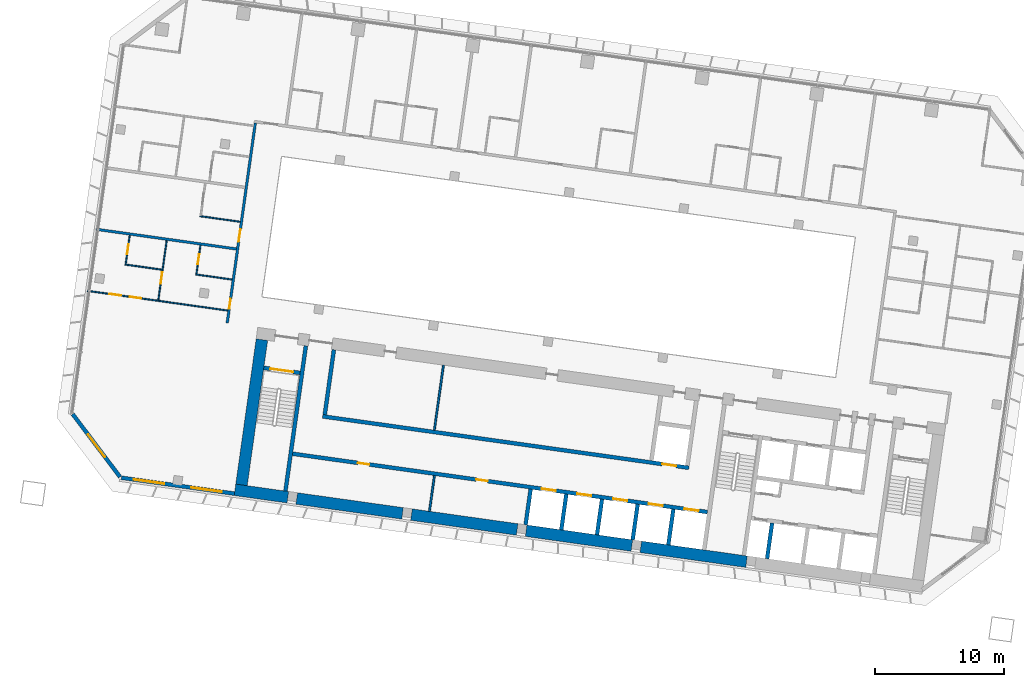
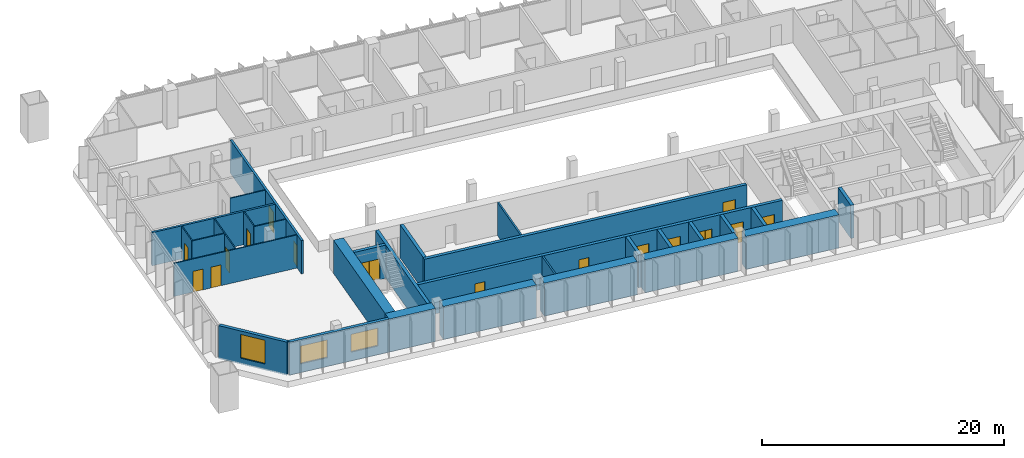
# One storey, part 14 of 25: 30 walls, 16 doors, 3 windows, 19 openings.
"""IFC4 building model written with IfcOpenShell, lengths in metres."""

import ifcopenshell
import ifcopenshell.guid

model = None  # the IFC model being written
_history = None  # IfcOwnerHistory: only IFC2X3 demands one
_inside = {}  # id of a spatial element -> (the spatial element, [elements in it])
_under = {}  # id of a project, library or spatial element -> (it, [spatial elements below it])
_declared = {}  # id of a project -> (the project, [libraries it declares])
_typed = {}  # id of a type object -> (the type object, [elements of that type])
_made_of = {}  # id of a material, layer set ... -> (it, [elements and type objects made of it])


def new_model(schema):
    """Start an empty IFC model of exactly this schema.

    Asked for "IFC4X3", IfcOpenShell would pick the latest addendum, in which some entities
    have other attributes; the version numbers below select the first issue.
    IFC2X3 requires an IfcOwnerHistory on every rooted entity: one is made here for all.
    """
    global model, _history
    if schema == "IFC4X3":
        model = ifcopenshell.file(schema_version=(4, 3, 0, 0))
    else:
        model = ifcopenshell.file(schema=schema)
    _inside.clear()
    _under.clear()
    _declared.clear()
    _typed.clear()
    _made_of.clear()
    _history = None
    if model.schema == "IFC2X3":
        org = make("IfcOrganization", Name="unknown")
        user = make(
            "IfcPersonAndOrganization",
            ThePerson=make("IfcPerson", FamilyName="unknown"),
            TheOrganization=org,
        )
        app = make(
            "IfcApplication",
            ApplicationDeveloper=org,
            Version="unknown",
            ApplicationFullName="unknown",
            ApplicationIdentifier="unknown",
        )
        _history = make(
            "IfcOwnerHistory",
            OwningUser=user,
            OwningApplication=app,
            ChangeAction="ADDED",
            CreationDate=0,
        )
    return model


def make(cls, **values):
    """One entity of the class cls with the attributes given. An attribute that is None is left unset."""
    return model.create_entity(
        cls, **{name: value for name, value in values.items() if value is not None}
    )


def rooted(cls, **values):
    """An entity with a GlobalId (a new one), such as an element, a storey or a relation."""
    return make(cls, GlobalId=ifcopenshell.guid.new(), OwnerHistory=_history, **values)


def si_unit(unit_type, name, prefix=None):
    """IfcSIUnit, for example si_unit("LENGTHUNIT", "METRE", prefix="MILLI")."""
    return make("IfcSIUnit", UnitType=unit_type, Prefix=prefix, Name=name)


def assignment(units):
    """IfcUnitAssignment: the units of a project."""
    return None if units is None else make("IfcUnitAssignment", Units=units)


def point(xyz):
    """IfcCartesianPoint."""
    return None if xyz is None else make("IfcCartesianPoint", Coordinates=xyz)


def direction(xyz):
    """IfcDirection."""
    return None if xyz is None else make("IfcDirection", DirectionRatios=xyz)


def frame(location, z_axis=None, x_axis=None):
    """IfcAxis2Placement3D, a coordinate frame: its origin and axes. An axis left out is left unset."""
    return make(
        "IfcAxis2Placement3D",
        Location=point(location),
        Axis=direction(z_axis),
        RefDirection=direction(x_axis),
    )


def frame_2d(location, x_axis=None):
    """IfcAxis2Placement2D, a coordinate frame in the plane: its origin and x axis."""
    return make(
        "IfcAxis2Placement2D", Location=point(location), RefDirection=direction(x_axis)
    )


def origin():
    """The frame at (0, 0, 0) with its axes left unset."""
    return frame((0.0, 0.0, 0.0))


def place(relative_to, where):
    """IfcLocalPlacement: puts the frame where relative to a parent placement (None: the world)."""
    return make(
        "IfcLocalPlacement", PlacementRelTo=relative_to, RelativePlacement=where
    )


def context(
    kind, dimensions, precision=None, world=None, true_north=None, identifier=None
):
    """IfcGeometricRepresentationContext, for example the 3D "Model" context."""
    return make(
        "IfcGeometricRepresentationContext",
        ContextIdentifier=identifier,
        ContextType=kind,
        CoordinateSpaceDimension=dimensions,
        Precision=precision,
        WorldCoordinateSystem=world,
        TrueNorth=true_north,
    )


def subcontext(parent, identifier, kind, view, scale=None):
    """IfcGeometricRepresentationSubContext, for example "Body" below "Model"."""
    return make(
        "IfcGeometricRepresentationSubContext",
        ContextIdentifier=identifier,
        ContextType=kind,
        ParentContext=parent,
        TargetScale=scale,
        TargetView=view,
    )


def project(units=None, contexts=None):
    """IfcProject with its units and contexts."""
    return rooted(
        "IfcProject",
        Name="project",
        RepresentationContexts=contexts,
        UnitsInContext=assignment(units),
    )


def spatial(cls, under=None, at=None, **own):
    """A site, building, storey or space (cls), placed at a placement, below another one or the project."""
    s = rooted(cls, ObjectPlacement=at, **own)
    if under is not None:
        _under.setdefault(under.id(), (under, []))[1].append(s)
    return s


def profile(cls, at=None, kind="AREA", **sizes):
    """A parametric profile (cls). Its sizes go by their IFC names, for example OverallWidth=200.0."""
    return make(cls, ProfileType=kind, Position=at, **sizes)


def rectangle(**sizes):
    """IfcRectangleProfileDef."""
    return profile("IfcRectangleProfileDef", **sizes)


def extrude(swept, where, along, depth):
    """IfcExtrudedAreaSolid: the profile swept, set in the frame where, extruded along a direction by depth."""
    return make(
        "IfcExtrudedAreaSolid",
        SweptArea=swept,
        Position=where,
        ExtrudedDirection=direction(along),
        Depth=depth,
    )


def shape(context_of_items, identifier, shape_type, items):
    """IfcShapeRepresentation: the items that make up one representation, for example the "Body"."""
    return make(
        "IfcShapeRepresentation",
        ContextOfItems=context_of_items,
        RepresentationIdentifier=identifier,
        RepresentationType=shape_type,
        Items=items,
    )


def material(Name=None, Category=None):
    """IfcMaterial."""
    return make("IfcMaterial", Name=Name, Category=Category)


def layer(
    of_material, thickness, ventilated=None, Name=None, Category=None, Priority=None
):
    """IfcMaterialLayer: one layer of a wall or slab, of a material (None: an air gap)."""
    return make(
        "IfcMaterialLayer",
        Material=of_material,
        LayerThickness=thickness,
        IsVentilated=ventilated,
        Name=Name,
        Category=Category,
        Priority=Priority,
    )


def layer_set(layers, Name=None):
    """IfcMaterialLayerSet."""
    return make("IfcMaterialLayerSet", MaterialLayers=layers, LayerSetName=Name)


def made_of(thing, what):
    """Note that an element or type object is made of a material, layer set ...; save() writes the relation."""
    if what is not None:
        _made_of.setdefault(what.id(), (what, []))[1].append(thing)
    return thing


def type_object(cls, material=None, **own):
    """A type object (cls), such as IfcWallType, which elements share."""
    return made_of(rooted(cls, **own), material)


def element(
    cls,
    number,
    at=None,
    inside=None,
    cuts=None,
    type_object=None,
    material=None,
    context=None,
    identifier="Body",
    shape_type=None,
    held_by="IfcProductDefinitionShape",
    body=None,
    shapes=None,
    **own,
):
    """One element of the class cls, such as IfcWall. Its Tag is "e" and its number.

    at: its placement. inside: the storey or other place that contains it. cuts: it is an
    opening in that element (IfcRelVoidsElement). A single representation is given by context,
    identifier, shape_type and body (its items); several are given by shapes. held_by: the class
    of the entity that holds the representations. save() writes the other relations.
    """
    e = rooted(cls, Tag="e%d" % number, ObjectPlacement=at, **own)
    if body is not None:
        shapes = [shape(context, identifier, shape_type, body)]
    if shapes is not None:
        e.Representation = make(held_by, Representations=shapes)
    if inside is not None:
        _inside.setdefault(inside.id(), (inside, []))[1].append(e)
    if cuts is not None:
        rooted(
            "IfcRelVoidsElement", RelatingBuildingElement=cuts, RelatedOpeningElement=e
        )
    if type_object is not None:
        _typed.setdefault(type_object.id(), (type_object, []))[1].append(e)
    return made_of(e, material)


def fill(opening, filler):
    """IfcRelFillsElement: the door or window that sits in an opening."""
    return rooted(
        "IfcRelFillsElement",
        RelatingOpeningElement=opening,
        RelatedBuildingElement=filler,
    )


def aggregate(whole, parts):
    """IfcRelAggregates: a whole, such as a stair, and the parts it consists of."""
    return rooted("IfcRelAggregates", RelatingObject=whole, RelatedObjects=parts)


def save(model, path):
    """Write the relations noted so far, then the file.

    IfcRelAggregates (storeys below a building ...), IfcRelContainedInSpatialStructure (elements
    in a storey), IfcRelDefinesByType, IfcRelAssociatesMaterial and IfcRelDeclares: one each for
    every whole, place, type object, material and project.
    """
    for whole, parts in _under.values():
        aggregate(whole, parts)
    for where, things in _inside.values():
        rooted(
            "IfcRelContainedInSpatialStructure",
            RelatedElements=things,
            RelatingStructure=where,
        )
    for kind, things in _typed.values():
        rooted("IfcRelDefinesByType", RelatedObjects=things, RelatingType=kind)
    for what, things in _made_of.values():
        rooted("IfcRelAssociatesMaterial", RelatedObjects=things, RelatingMaterial=what)
    for by, libraries in _declared.values():
        rooted("IfcRelDeclares", RelatingContext=by, RelatedDefinitions=libraries)
    model.write(path)


model = new_model("IFC4")

# Units and contexts
model_context = context("Model", 3, precision=1e-05, world=origin(), true_north=direction((0.0, 1.0)))
body_context = subcontext(model_context, "Body", "Model", "MODEL_VIEW")
ifc_project = project(units=[si_unit("LENGTHUNIT", "METRE"), si_unit("AREAUNIT", "SQUARE_METRE"), si_unit("VOLUMEUNIT", "CUBIC_METRE"), si_unit("PLANEANGLEUNIT", "RADIAN"), si_unit("MASSUNIT", "GRAM", prefix="KILO")], contexts=[model_context])

# Site, building, storey
site_placement = place(None, origin())
site = spatial("IfcSite", under=ifc_project, at=site_placement, CompositionType="ELEMENT")
building_placement = place(site_placement, origin())
building = spatial("IfcBuilding", under=site, at=building_placement, Name="Mirante Cascada Hotel Towers", CompositionType="ELEMENT")
storey_placement = place(building_placement, frame((0.0, 0.0, 69.9)))
storey = spatial("IfcBuildingStorey", under=building, at=storey_placement, Name="L14", CompositionType="ELEMENT", Elevation=69.9)

# Wall
ifc_material_1 = material(Name="Fire-rated plasterboard on metal studs")
ifc_layer_1 = layer(ifc_material_1, 0.2)
ifc_layer_set_1 = layer_set([ifc_layer_1], Name="Compartment wall 200 EI 120")
wall_type_1 = type_object("IfcWallType", Name="Compartment wall 200 EI 120", PredefinedType="PARTITIONING", material=ifc_layer_set_1)
wall_1_placement = place(storey_placement, frame((-90.4064, 6.4896, 0.0), z_axis=(0.0, 0.0, 1.0), x_axis=(-0.990268, 0.1391733, 0.0)))
element("IfcWall", 1, at=wall_1_placement, inside=storey, type_object=wall_type_1, Name="Wall 1-L14-07", PredefinedType="PARTITIONING", context=body_context, shape_type="SweptSolid", body=[
    extrude(rectangle(XDim=11.0, YDim=0.2, at=frame_2d((5.5, 0.0))), origin(), (0.0, 0.0, 1.0), 3.35),
])

# Wall, openings, doors
wall_2_placement = place(storey_placement, frame((-88.9295, 16.2793, 0.0), z_axis=(0.0, 0.0, 1.0), x_axis=(-0.1391721, -0.9902682, 0.0)))
wall_2 = element("IfcWall", 2, at=wall_2_placement, inside=storey, type_object=wall_type_1, Name="Wall 1-L14-52", PredefinedType="PARTITIONING", context=body_context, shape_type="SweptSolid", body=[
    extrude(rectangle(XDim=15.7, YDim=0.2, at=frame_2d((7.85, 0.0))), origin(), (0.0, 0.0, 1.0), 3.35),
])
opening_1_placement = place(wall_2_placement, frame((13.7833, 0.0, 0.0)))
opening_1 = element("IfcOpeningElement", 3, at=opening_1_placement, cuts=wall_2, Name="Opening D1-L14-34", PredefinedType="OPENING", context=body_context, shape_type="SweptSolid", body=[
    extrude(rectangle(XDim=0.8, YDim=2.1, at=frame_2d((0.4, 1.05))), frame((0.0, 0.1, 0.0), z_axis=(0.0, -1.0, 0.0), x_axis=(1.0, 0.0, 0.0)), (0.0, 0.0, 1.0), 0.2),
])
opening_2_placement = place(wall_2_placement, frame((8.3333, 0.0, 0.0)))
opening_2 = element("IfcOpeningElement", 4, at=opening_2_placement, cuts=wall_2, Name="Opening D1-L14-35", PredefinedType="OPENING", context=body_context, shape_type="SweptSolid", body=[
    extrude(rectangle(XDim=1.0, YDim=2.1, at=frame_2d((0.5, 1.05))), frame((0.0, 0.1, 0.0), z_axis=(0.0, -1.0, 0.0), x_axis=(1.0, 0.0, 0.0)), (0.0, 0.0, 1.0), 0.2),
])
ifc_material_2 = material(Name="Fire-rated timber door leaf", Category="wood")
door_type_1 = type_object("IfcDoorType", Name="Bathroom door DG4 800x2100 EI 60", OperationType="SINGLE_SWING_LEFT", PredefinedType="DOOR", material=ifc_material_2)
door_1_placement = place(opening_1_placement, origin())
door_1 = element("IfcDoor", 5, at=door_1_placement, inside=storey, type_object=door_type_1, Name="Door D1-L14-34", OperationType="SINGLE_SWING_LEFT", OverallHeight=2.1, OverallWidth=0.8, PredefinedType="DOOR", context=body_context, shape_type="SweptSolid", body=[
    extrude(rectangle(XDim=0.8, YDim=2.1, at=frame_2d((0.4, 1.05))), frame((0.0, 0.025, 0.0), z_axis=(0.0, -1.0, 0.0), x_axis=(1.0, 0.0, 0.0)), (0.0, 0.0, 1.0), 0.05),
])
fill(opening_1, door_1)
ifc_material_3 = material(Name="Fire-rated timber door leaf", Category="wood")
door_type_2 = type_object("IfcDoorType", Name="Entrance door DG1 1000x2100 EI 60", OperationType="SINGLE_SWING_LEFT", PredefinedType="DOOR", material=ifc_material_3)
door_2_placement = place(opening_2_placement, frame((1.0, 0.0, 0.0), z_axis=(0.0, 0.0, 1.0), x_axis=(-1.0, 0.0, 0.0)))
door_2 = element("IfcDoor", 6, at=door_2_placement, inside=storey, type_object=door_type_2, Name="Door D1-L14-35", OperationType="SINGLE_SWING_RIGHT", OverallHeight=2.1, OverallWidth=1.0, PredefinedType="DOOR", context=body_context, shape_type="SweptSolid", body=[
    extrude(rectangle(XDim=1.0, YDim=2.1, at=frame_2d((0.5, 1.05))), frame((0.0, 0.025, 0.0), z_axis=(0.0, -1.0, 0.0), x_axis=(1.0, 0.0, 0.0)), (0.0, 0.0, 1.0), 0.05),
])
fill(opening_2, door_2)

# Walls
ifc_material_4 = material(Name="Masonry block", Category="masonry")
ifc_layer_2 = layer(ifc_material_4, 0.15)
ifc_layer_set_2 = layer_set([ifc_layer_2], Name="Core room partition 150 block EI 30")
wall_type_2 = type_object("IfcWallType", Name="Core room partition 150 block EI 30", PredefinedType="PARTITIONING", material=ifc_layer_set_2)
wall_3_placement = place(storey_placement, frame((-75.3976, -13.8977, 0.0), z_axis=(0.0, 0.0, 1.0), x_axis=(0.139141, 0.9902726, 0.0)))
element("IfcWall", 7, at=wall_3_placement, inside=storey, type_object=wall_type_2, Name="Core wall partition T1 L14 5", PredefinedType="PARTITIONING", context=body_context, shape_type="SweptSolid", body=[
    extrude(rectangle(XDim=2.8, YDim=0.15, at=frame_2d((1.4, 0.0))), origin(), (0.0, 0.0, 1.0), 3.35),
])
wall_4_placement = place(storey_placement, frame((-75.016, -7.5894, 0.0), z_axis=(0.0, 0.0, 1.0), x_axis=(0.1391755, 0.9902677, 0.0)))
element("IfcWall", 8, at=wall_4_placement, inside=storey, type_object=wall_type_2, Name="Core wall partition T1 L14 6", PredefinedType="PARTITIONING", context=body_context, shape_type="SweptSolid", body=[
    extrude(rectangle(XDim=5.1, YDim=0.15, at=frame_2d((2.55, 0.0))), origin(), (0.0, 0.0, 1.0), 3.35),
])

# Wall, openings, doors
ifc_material_5 = material(Name="Plasterboard on metal studs")
ifc_layer_3 = layer(ifc_material_5, 0.1)
ifc_layer_set_3 = layer_set([ifc_layer_3], Name="Partition 100")
wall_type_3 = type_object("IfcWallType", Name="Partition 100", PredefinedType="PARTITIONING", material=ifc_layer_set_3)
wall_5_placement = place(storey_placement, frame((-101.972, 3.2342, 0.0), z_axis=(0.0, 0.0, 1.0), x_axis=(0.9902682, -0.1391721, 0.0)))
wall_5 = element("IfcWall", 9, at=wall_5_placement, inside=storey, type_object=wall_type_3, Name="Wall 1-L14-02", PredefinedType="PARTITIONING", context=body_context, shape_type="SweptSolid", body=[
    extrude(rectangle(XDim=11.0001, YDim=0.1, at=frame_2d((5.5, 0.0))), origin(), (0.0, 0.0, 1.0), 3.35),
])
opening_3_placement = place(wall_5_placement, frame((3.3, 0.0, 0.0)))
opening_3 = element("IfcOpeningElement", 10, at=opening_3_placement, cuts=wall_5, Name="Opening D1-L14-02", PredefinedType="OPENING", context=body_context, shape_type="SweptSolid", body=[
    extrude(rectangle(XDim=0.9, YDim=2.1, at=frame_2d((0.45, 1.05))), frame((0.0, 0.05, 0.0), z_axis=(0.0, -1.0, 0.0), x_axis=(1.0, 0.0, 0.0)), (0.0, 0.0, 1.0), 0.1),
])
opening_4_placement = place(wall_5_placement, frame((1.725, 0.0, 0.0)))
opening_4 = element("IfcOpeningElement", 11, at=opening_4_placement, cuts=wall_5, Name="Opening D1-L14-03", PredefinedType="OPENING", context=body_context, shape_type="SweptSolid", body=[
    extrude(rectangle(XDim=0.9, YDim=2.1, at=frame_2d((0.45, 1.05))), frame((0.0, 0.05, 0.0), z_axis=(0.0, -1.0, 0.0), x_axis=(1.0, 0.0, 0.0)), (0.0, 0.0, 1.0), 0.1),
])
ifc_material_6 = material(Name="Timber door leaf", Category="wood")
door_type_3 = type_object("IfcDoorType", Name="Room door DG3 900x2100", OperationType="SINGLE_SWING_LEFT", PredefinedType="DOOR", material=ifc_material_6)
door_3_placement = place(opening_3_placement, frame((0.9, 0.0, 0.0), z_axis=(0.0, 0.0, 1.0), x_axis=(-1.0, 0.0, 0.0)))
door_3 = element("IfcDoor", 12, at=door_3_placement, inside=storey, type_object=door_type_3, Name="Door D1-L14-02", OperationType="SINGLE_SWING_RIGHT", OverallHeight=2.1, OverallWidth=0.9, PredefinedType="DOOR", context=body_context, shape_type="SweptSolid", body=[
    extrude(rectangle(XDim=0.9, YDim=2.1, at=frame_2d((0.45, 1.05))), frame((0.0, 0.025, 0.0), z_axis=(0.0, -1.0, 0.0), x_axis=(1.0, 0.0, 0.0)), (0.0, 0.0, 1.0), 0.05),
])
fill(opening_3, door_3)
door_4_placement = place(opening_4_placement, frame((0.9, 0.0, 0.0), z_axis=(0.0, 0.0, 1.0), x_axis=(-1.0, 0.0, 0.0)))
door_4 = element("IfcDoor", 13, at=door_4_placement, inside=storey, type_object=door_type_3, Name="Door D1-L14-03", OperationType="SINGLE_SWING_RIGHT", OverallHeight=2.1, OverallWidth=0.9, PredefinedType="DOOR", context=body_context, shape_type="SweptSolid", body=[
    extrude(rectangle(XDim=0.9, YDim=2.1, at=frame_2d((0.45, 1.05))), frame((0.0, 0.025, 0.0), z_axis=(0.0, -1.0, 0.0), x_axis=(1.0, 0.0, 0.0)), (0.0, 0.0, 1.0), 0.05),
])
fill(opening_4, door_4)

# Walls
wall_6_placement = place(storey_placement, frame((-93.5626, 4.5096, 0.0), z_axis=(0.0, 0.0, 1.0), x_axis=(0.9902649, -0.1391957, 0.0)))
element("IfcWall", 14, at=wall_6_placement, inside=storey, type_object=wall_type_3, Name="Wall 1-L14-04", PredefinedType="PARTITIONING", context=body_context, shape_type="SweptSolid", body=[
    extrude(rectangle(XDim=2.8499, YDim=0.1, at=frame_2d((1.425, 0.0))), origin(), (0.0, 0.0, 1.0), 3.35),
])
wall_7_placement = place(storey_placement, frame((-96.1868, 4.8784, 0.0), z_axis=(0.0, 0.0, 1.0), x_axis=(-0.9902683, 0.1391714, 0.0)))
element("IfcWall", 15, at=wall_7_placement, inside=storey, type_object=wall_type_3, Name="Wall 1-L14-05", PredefinedType="PARTITIONING", context=body_context, shape_type="SweptSolid", body=[
    extrude(rectangle(XDim=2.9, YDim=0.1, at=frame_2d((1.45, 0.0))), origin(), (0.0, 0.0, 1.0), 3.35),
])
wall_8_placement = place(storey_placement, frame((-93.2288, 9.0405, 0.0), z_axis=(0.0, 0.0, 1.0), x_axis=(0.9902676, -0.1391765, 0.0)))
element("IfcWall", 16, at=wall_8_placement, inside=storey, type_object=wall_type_3, Name="Wall 1-L14-08", PredefinedType="PARTITIONING", context=body_context, shape_type="SweptSolid", body=[
    extrude(rectangle(XDim=3.15, YDim=0.1, at=frame_2d((1.575, 0.0))), origin(), (0.0, 0.0, 1.0), 3.35),
])

# Wall, opening, door
wall_9_placement = place(storey_placement, frame((-93.5062, 4.5521, 0.0), z_axis=(0.0, 0.0, 1.0), x_axis=(0.1391997, 0.9902643, 0.0)))
wall_9 = element("IfcWall", 17, at=wall_9_placement, inside=storey, type_object=wall_type_3, Name="Wall 1-L14-53", PredefinedType="PARTITIONING", context=body_context, shape_type="SweptSolid", body=[
    extrude(rectangle(XDim=2.25, YDim=0.1, at=frame_2d((1.125, 0.0))), origin(), (0.0, 0.0, 1.0), 3.35),
])
opening_5_placement = place(wall_9_placement, frame((0.75, 0.0, 0.0)))
opening_5 = element("IfcOpeningElement", 18, at=opening_5_placement, cuts=wall_9, Name="Opening D1-L14-36", PredefinedType="OPENING", context=body_context, shape_type="SweptSolid", body=[
    extrude(rectangle(XDim=0.8, YDim=2.1, at=frame_2d((0.4, 1.05))), frame((0.0, 0.05, 0.0), z_axis=(0.0, -1.0, 0.0), x_axis=(1.0, 0.0, 0.0)), (0.0, 0.0, 1.0), 0.1),
])
ifc_material_7 = material(Name="Timber door leaf", Category="wood")
door_type_4 = type_object("IfcDoorType", Name="Bathroom door DG4 800x2100", OperationType="SINGLE_SWING_LEFT", PredefinedType="DOOR", material=ifc_material_7)
door_5_placement = place(opening_5_placement, frame((0.8, 0.0, 0.0), z_axis=(0.0, 0.0, 1.0), x_axis=(-1.0, 0.0, 0.0)))
door_5 = element("IfcDoor", 19, at=door_5_placement, inside=storey, type_object=door_type_4, Name="Door D1-L14-36", OperationType="SINGLE_SWING_RIGHT", OverallHeight=2.1, OverallWidth=0.8, PredefinedType="DOOR", context=body_context, shape_type="SweptSolid", body=[
    extrude(rectangle(XDim=0.8, YDim=2.1, at=frame_2d((0.4, 1.05))), frame((0.0, 0.025, 0.0), z_axis=(0.0, -1.0, 0.0), x_axis=(1.0, 0.0, 0.0)), (0.0, 0.0, 1.0), 0.05),
])
fill(opening_5, door_5)

wall_10_placement = place(storey_placement, frame((-95.8172, 7.149, 0.0), z_axis=(0.0, 0.0, 1.0), x_axis=(-0.139176, -0.9902677, 0.0)))
wall_10 = element("IfcWall", 20, at=wall_10_placement, inside=storey, type_object=wall_type_3, Name="Wall 1-L14-56", PredefinedType="PARTITIONING", context=body_context, shape_type="SweptSolid", body=[
    extrude(rectangle(XDim=4.6833, YDim=0.1, at=frame_2d((2.3416, 0.0))), origin(), (0.0, 0.0, 1.0), 3.35),
])
opening_6_placement = place(wall_10_placement, frame((2.4833, 0.0, 0.0)))
opening_6 = element("IfcOpeningElement", 21, at=opening_6_placement, cuts=wall_10, Name="Opening D1-L14-39", PredefinedType="OPENING", context=body_context, shape_type="SweptSolid", body=[
    extrude(rectangle(XDim=0.9, YDim=2.1, at=frame_2d((0.45, 1.05))), frame((0.0, 0.05, 0.0), z_axis=(0.0, -1.0, 0.0), x_axis=(1.0, 0.0, 0.0)), (0.0, 0.0, 1.0), 0.1),
])
door_6_placement = place(opening_6_placement, origin())
door_6 = element("IfcDoor", 22, at=door_6_placement, inside=storey, type_object=door_type_3, Name="Door D1-L14-39", OperationType="SINGLE_SWING_LEFT", OverallHeight=2.1, OverallWidth=0.9, PredefinedType="DOOR", context=body_context, shape_type="SweptSolid", body=[
    extrude(rectangle(XDim=0.9, YDim=2.1, at=frame_2d((0.45, 1.05))), frame((0.0, 0.025, 0.0), z_axis=(0.0, -1.0, 0.0), x_axis=(1.0, 0.0, 0.0)), (0.0, 0.0, 1.0), 0.05),
])
fill(opening_6, door_6)

wall_11_placement = place(storey_placement, frame((-99.0021, 5.3245, 0.0), z_axis=(0.0, 0.0, 1.0), x_axis=(0.1391561, 0.9902705, 0.0)))
wall_11 = element("IfcWall", 23, at=wall_11_placement, inside=storey, type_object=wall_type_3, Name="Wall 1-L14-59", PredefinedType="PARTITIONING", context=body_context, shape_type="SweptSolid", body=[
    extrude(rectangle(XDim=2.25, YDim=0.1, at=frame_2d((1.125, 0.0))), origin(), (0.0, 0.0, 1.0), 3.35),
])
opening_7_placement = place(wall_11_placement, frame((0.75, 0.0, 0.0)))
opening_7 = element("IfcOpeningElement", 24, at=opening_7_placement, cuts=wall_11, Name="Opening D1-L14-41", PredefinedType="OPENING", context=body_context, shape_type="SweptSolid", body=[
    extrude(rectangle(XDim=0.8, YDim=2.1, at=frame_2d((0.4, 1.05))), frame((0.0, 0.05, 0.0), z_axis=(0.0, -1.0, 0.0), x_axis=(1.0, 0.0, 0.0)), (0.0, 0.0, 1.0), 0.1),
])
door_7_placement = place(opening_7_placement, frame((0.8, 0.0, 0.0), z_axis=(0.0, 0.0, 1.0), x_axis=(-1.0, 0.0, 0.0)))
door_7 = element("IfcDoor", 25, at=door_7_placement, inside=storey, type_object=door_type_4, Name="Door D1-L14-41", OperationType="SINGLE_SWING_RIGHT", OverallHeight=2.1, OverallWidth=0.8, PredefinedType="DOOR", context=body_context, shape_type="SweptSolid", body=[
    extrude(rectangle(XDim=0.8, YDim=2.1, at=frame_2d((0.4, 1.05))), frame((0.0, 0.025, 0.0), z_axis=(0.0, -1.0, 0.0), x_axis=(1.0, 0.0, 0.0)), (0.0, 0.0, 1.0), 0.05),
])
fill(opening_7, door_7)

# Wall, openings, windows
ifc_material_8 = material(Name="Precast concrete C40/50", Category="concrete")
ifc_layer_4 = layer(ifc_material_8, 0.3)
ifc_layer_set_4 = layer_set([ifc_layer_4], Name="Precast concrete C40/50 cladding wall 300")
wall_type_4 = type_object("IfcWallType", Name="Precast concrete C40/50 cladding wall 300", PredefinedType="STANDARD", material=ifc_layer_set_4)
wall_12_placement = place(storey_placement, frame((-90.5541, -12.5249, 0.0), z_axis=(0.0, 0.0, 1.0), x_axis=(-0.9902676, 0.1391765, 0.0)))
wall_12 = element("IfcWall", 26, at=wall_12_placement, inside=storey, type_object=wall_type_4, Name="Rear cladding wall T1 L14 1", PredefinedType="STANDARD", context=body_context, shape_type="SweptSolid", body=[
    extrude(rectangle(XDim=8.8758, YDim=0.3, at=frame_2d((4.4379, 0.0))), origin(), (0.0, 0.0, 1.0), 3.35),
])
opening_8_placement = place(wall_12_placement, frame((1.0012, 0.0, 0.9)))
opening_8 = element("IfcOpeningElement", 27, at=opening_8_placement, cuts=wall_12, Name="Opening W1-14-01", PredefinedType="OPENING", context=body_context, shape_type="SweptSolid", body=[
    extrude(rectangle(XDim=2.4, YDim=1.8, at=frame_2d((1.2, 0.9))), frame((0.0, 0.15, 0.0), z_axis=(0.0, -1.0, 0.0), x_axis=(1.0, 0.0, 0.0)), (0.0, 0.0, 1.0), 0.3),
])
opening_9_placement = place(wall_12_placement, frame((5.4923, 0.0, 0.9)))
opening_9 = element("IfcOpeningElement", 28, at=opening_9_placement, cuts=wall_12, Name="Opening W1-14-02", PredefinedType="OPENING", context=body_context, shape_type="SweptSolid", body=[
    extrude(rectangle(XDim=2.4, YDim=1.8, at=frame_2d((1.2, 0.9))), frame((0.0, 0.15, 0.0), z_axis=(0.0, -1.0, 0.0), x_axis=(1.0, 0.0, 0.0)), (0.0, 0.0, 1.0), 0.3),
])
ifc_material_9 = material(Name="Aluminium frame with clear double glazing", Category="aluminium")
window_type_1 = type_object("IfcWindowType", Name="Punched window 2400x1800", PartitioningType="DOUBLE_PANEL_VERTICAL", PredefinedType="WINDOW", material=ifc_material_9)
window_1_placement = place(opening_8_placement, origin())
window_1 = element("IfcWindow", 29, at=window_1_placement, inside=storey, type_object=window_type_1, Name="Window W1-14-01", OverallHeight=1.8, OverallWidth=2.4, PartitioningType="SINGLE_PANEL", PredefinedType="WINDOW", context=body_context, shape_type="SweptSolid", body=[
    extrude(rectangle(XDim=2.4, YDim=1.8, at=frame_2d((1.2, 0.9))), frame((0.0, 0.03, 0.0), z_axis=(0.0, -1.0, 0.0), x_axis=(1.0, 0.0, 0.0)), (0.0, 0.0, 1.0), 0.06),
])
fill(opening_8, window_1)
window_2_placement = place(opening_9_placement, origin())
window_2 = element("IfcWindow", 30, at=window_2_placement, inside=storey, type_object=window_type_1, Name="Window W1-14-02", OverallHeight=1.8, OverallWidth=2.4, PartitioningType="SINGLE_PANEL", PredefinedType="WINDOW", context=body_context, shape_type="SweptSolid", body=[
    extrude(rectangle(XDim=2.4, YDim=1.8, at=frame_2d((1.2, 0.9))), frame((0.0, 0.03, 0.0), z_axis=(0.0, -1.0, 0.0), x_axis=(1.0, 0.0, 0.0)), (0.0, 0.0, 1.0), 0.06),
])
fill(opening_9, window_2)

# Wall, opening, window
wall_13_placement = place(storey_placement, frame((-99.4424, -11.2313, 0.0), z_axis=(0.0, 0.0, 1.0), x_axis=(-0.6018194, 0.7986322, 0.0)))
wall_13 = element("IfcWall", 31, at=wall_13_placement, inside=storey, type_object=wall_type_4, Name="Corner cladding wall T1 L14 rear outer", PredefinedType="STANDARD", context=body_context, shape_type="SweptSolid", body=[
    extrude(rectangle(XDim=6.1155, YDim=0.3, at=frame_2d((3.0578, 0.0))), origin(), (0.0, 0.0, 1.0), 3.35),
])
opening_10_placement = place(wall_13_placement, frame((1.9576, 0.0, 0.6)))
opening_10 = element("IfcOpeningElement", 32, at=opening_10_placement, cuts=wall_13, Name="Opening W1-14-03", PredefinedType="OPENING", context=body_context, shape_type="SweptSolid", body=[
    extrude(rectangle(XDim=2.2, YDim=2.4, at=frame_2d((1.1, 1.2))), frame((0.0, 0.15, 0.0), z_axis=(0.0, -1.0, 0.0), x_axis=(1.0, 0.0, 0.0)), (0.0, 0.0, 1.0), 0.3),
])
ifc_material_10 = material(Name="Aluminium frame with clear double glazing", Category="aluminium")
window_type_2 = type_object("IfcWindowType", Name="Corner suite window 2200x2400", PartitioningType="DOUBLE_PANEL_VERTICAL", PredefinedType="WINDOW", material=ifc_material_10)
window_3_placement = place(opening_10_placement, origin())
window_3 = element("IfcWindow", 33, at=window_3_placement, inside=storey, type_object=window_type_2, Name="Window W1-14-03", OverallHeight=2.4, OverallWidth=2.2, PartitioningType="SINGLE_PANEL", PredefinedType="WINDOW", context=body_context, shape_type="SweptSolid", body=[
    extrude(rectangle(XDim=2.2, YDim=2.4, at=frame_2d((1.1, 1.2))), frame((0.0, 0.03, 0.0), z_axis=(0.0, -1.0, 0.0), x_axis=(1.0, 0.0, 0.0)), (0.0, 0.0, 1.0), 0.06),
])
fill(opening_10, window_3)

# Wall
ifc_material_11 = material(Name="Concrete C50/60", Category="concrete")
ifc_layer_5 = layer(ifc_material_11, 0.3)
ifc_layer_set_5 = layer_set([ifc_layer_5], Name="RC core wall 300 C50/60")
wall_type_5 = type_object("IfcWallType", Name="RC core wall 300 C50/60", PredefinedType="SHEAR", material=ifc_layer_set_5)
wall_14_placement = place(storey_placement, frame((-86.5877, -12.325, 0.0), z_axis=(0.0, 0.0, 1.0), x_axis=(0.1391749, 0.9902678, 0.0)))
element("IfcWall", 34, at=wall_14_placement, inside=storey, type_object=wall_type_5, Name="Core wall T1:L14:8", PredefinedType="SHEAR", context=body_context, shape_type="SweptSolid", body=[
    extrude(rectangle(XDim=11.4, YDim=0.3, at=frame_2d((5.7, 0.0))), origin(), (0.0, 0.0, 1.0), 3.35),
])

# Wall, opening, door
wall_15_placement = place(storey_placement, frame((-85.4489, -3.1441, 0.0), z_axis=(0.0, 0.0, 1.0), x_axis=(-0.9902697, 0.1391613, 0.0)))
wall_15 = element("IfcWall", 35, at=wall_15_placement, inside=storey, type_object=wall_type_5, Name="Core wall T1:L14:11", PredefinedType="SHEAR", context=body_context, shape_type="SweptSolid", body=[
    extrude(rectangle(XDim=2.8499, YDim=0.3, at=frame_2d((1.425, 0.0))), origin(), (0.0, 0.0, 1.0), 3.35),
])
opening_11_placement = place(wall_15_placement, frame((0.525, 0.0, 0.0)))
opening_11 = element("IfcOpeningElement", 36, at=opening_11_placement, cuts=wall_15, Name="Opening D1-14-C17", PredefinedType="OPENING", context=body_context, shape_type="SweptSolid", body=[
    extrude(rectangle(XDim=1.8, YDim=2.1, at=frame_2d((0.9, 1.05))), frame((0.0, 0.15, 0.0), z_axis=(0.0, -1.0, 0.0), x_axis=(1.0, 0.0, 0.0)), (0.0, 0.0, 1.0), 0.3),
])
ifc_material_12 = material(Name="Hollow metal fire door leaf")
door_type_5 = type_object("IfcDoorType", Name="Double fire door 1800x2100 FD60", OperationType="DOUBLE_DOOR_SINGLE_SWING", PredefinedType="DOOR", material=ifc_material_12)
door_8_placement = place(opening_11_placement, origin())
door_8 = element("IfcDoor", 37, at=door_8_placement, inside=storey, type_object=door_type_5, Name="Stair door T1 L14 17", OperationType="DOUBLE_DOOR_SINGLE_SWING", OverallHeight=2.1, OverallWidth=1.8, PredefinedType="DOOR", context=body_context, shape_type="SweptSolid", body=[
    extrude(rectangle(XDim=0.895, YDim=2.1, at=frame_2d((0.4475, 1.05))), frame((0.0, 0.025, 0.0), z_axis=(0.0, -1.0, 0.0), x_axis=(1.0, 0.0, 0.0)), (0.0, 0.0, 1.0), 0.05),
    extrude(rectangle(XDim=0.895, YDim=2.1, at=frame_2d((1.3525, 1.05))), frame((0.0, 0.025, 0.0), z_axis=(0.0, -1.0, 0.0), x_axis=(1.0, 0.0, 0.0)), (0.0, 0.0, 1.0), 0.05),
])
fill(opening_11, door_8)

# Wall
wall_16_placement = place(storey_placement, frame((-49.1555, -17.5857, 0.0), z_axis=(0.0, 0.0, 1.0), x_axis=(0.1391459, 0.9902719, 0.0)))
element("IfcWall", 38, at=wall_16_placement, inside=storey, type_object=wall_type_5, Name="Core wall T1:L14:17", PredefinedType="SHEAR", context=body_context, shape_type="SweptSolid", body=[
    extrude(rectangle(XDim=2.7999, YDim=0.3, at=frame_2d((1.4, 0.0))), origin(), (0.0, 0.0, 1.0), 3.35),
])

# Wall, openings, doors
wall_17_placement = place(storey_placement, frame((-53.7953, -13.9547, 0.0), z_axis=(0.0, 0.0, 1.0), x_axis=(-0.990268, 0.1391733, 0.0)))
wall_17 = element("IfcWall", 39, at=wall_17_placement, inside=storey, type_object=wall_type_5, Name="Core wall T1:L14:25", PredefinedType="SHEAR", context=body_context, shape_type="SweptSolid", body=[
    extrude(rectangle(XDim=32.5501, YDim=0.3, at=frame_2d((16.275, 0.0))), origin(), (0.0, 0.0, 1.0), 3.35),
])
opening_12_placement = place(wall_17_placement, frame((0.7, 0.0, 0.0)))
opening_12 = element("IfcOpeningElement", 40, at=opening_12_placement, cuts=wall_17, Name="Opening LD", PredefinedType="OPENING", context=body_context, shape_type="SweptSolid", body=[
    extrude(rectangle(XDim=1.1, YDim=2.1, at=frame_2d((0.55, 1.05))), frame((0.0, 0.15, 0.0), z_axis=(0.0, -1.0, 0.0), x_axis=(1.0, 0.0, 0.0)), (0.0, 0.0, 1.0), 0.3),
])
opening_13_placement = place(wall_17_placement, frame((3.5, 0.0, 0.0)))
opening_13 = element("IfcOpeningElement", 41, at=opening_13_placement, cuts=wall_17, Name="Opening LD", PredefinedType="OPENING", context=body_context, shape_type="SweptSolid", body=[
    extrude(rectangle(XDim=1.1, YDim=2.1, at=frame_2d((0.55, 1.05))), frame((0.0, 0.15, 0.0), z_axis=(0.0, -1.0, 0.0), x_axis=(1.0, 0.0, 0.0)), (0.0, 0.0, 1.0), 0.3),
])
opening_14_placement = place(wall_17_placement, frame((6.3, 0.0, 0.0)))
opening_14 = element("IfcOpeningElement", 42, at=opening_14_placement, cuts=wall_17, Name="Opening LD", PredefinedType="OPENING", context=body_context, shape_type="SweptSolid", body=[
    extrude(rectangle(XDim=1.1, YDim=2.1, at=frame_2d((0.55, 1.05))), frame((0.0, 0.15, 0.0), z_axis=(0.0, -1.0, 0.0), x_axis=(1.0, 0.0, 0.0)), (0.0, 0.0, 1.0), 0.3),
])
opening_15_placement = place(wall_17_placement, frame((9.1, 0.0, 0.0)))
opening_15 = element("IfcOpeningElement", 43, at=opening_15_placement, cuts=wall_17, Name="Opening LD", PredefinedType="OPENING", context=body_context, shape_type="SweptSolid", body=[
    extrude(rectangle(XDim=1.1, YDim=2.1, at=frame_2d((0.55, 1.05))), frame((0.0, 0.15, 0.0), z_axis=(0.0, -1.0, 0.0), x_axis=(1.0, 0.0, 0.0)), (0.0, 0.0, 1.0), 0.3),
])
opening_16_placement = place(wall_17_placement, frame((11.9, 0.0, 0.0)))
opening_16 = element("IfcOpeningElement", 44, at=opening_16_placement, cuts=wall_17, Name="Opening LD", PredefinedType="OPENING", context=body_context, shape_type="SweptSolid", body=[
    extrude(rectangle(XDim=1.1, YDim=2.1, at=frame_2d((0.55, 1.05))), frame((0.0, 0.15, 0.0), z_axis=(0.0, -1.0, 0.0), x_axis=(1.0, 0.0, 0.0)), (0.0, 0.0, 1.0), 0.3),
])
opening_17_placement = place(wall_17_placement, frame((17.25, 0.0, 0.0)))
opening_17 = element("IfcOpeningElement", 45, at=opening_17_placement, cuts=wall_17, Name="Opening D1-14-C26", PredefinedType="OPENING", context=body_context, shape_type="SweptSolid", body=[
    extrude(rectangle(XDim=0.9, YDim=2.1, at=frame_2d((0.45, 1.05))), frame((0.0, 0.15, 0.0), z_axis=(0.0, -1.0, 0.0), x_axis=(1.0, 0.0, 0.0)), (0.0, 0.0, 1.0), 0.3),
])
opening_18_placement = place(wall_17_placement, frame((26.525, 0.0, 0.0)))
opening_18 = element("IfcOpeningElement", 46, at=opening_18_placement, cuts=wall_17, Name="Opening D1-14-C27", PredefinedType="OPENING", context=body_context, shape_type="SweptSolid", body=[
    extrude(rectangle(XDim=0.9, YDim=2.1, at=frame_2d((0.45, 1.05))), frame((0.0, 0.15, 0.0), z_axis=(0.0, -1.0, 0.0), x_axis=(1.0, 0.0, 0.0)), (0.0, 0.0, 1.0), 0.3),
])
ifc_material_13 = material(Name="Hollow metal fire door leaf")
door_type_6 = type_object("IfcDoorType", Name="Fire door 900x2100 FD60", OperationType="NOTDEFINED", PredefinedType="DOOR", material=ifc_material_13)
door_9_placement = place(opening_17_placement, origin())
door_9 = element("IfcDoor", 47, at=door_9_placement, inside=storey, type_object=door_type_6, Name="Room door T1 L14 26", OperationType="SINGLE_SWING_LEFT", OverallHeight=2.1, OverallWidth=0.9, PredefinedType="DOOR", context=body_context, shape_type="SweptSolid", body=[
    extrude(rectangle(XDim=0.9, YDim=2.1, at=frame_2d((0.45, 1.05))), frame((0.0, 0.025, 0.0), z_axis=(0.0, -1.0, 0.0), x_axis=(1.0, 0.0, 0.0)), (0.0, 0.0, 1.0), 0.05),
])
fill(opening_17, door_9)
door_10_placement = place(opening_18_placement, origin())
door_10 = element("IfcDoor", 48, at=door_10_placement, inside=storey, type_object=door_type_6, Name="Room door T1 L14 27", OperationType="SINGLE_SWING_LEFT", OverallHeight=2.1, OverallWidth=0.9, PredefinedType="DOOR", context=body_context, shape_type="SweptSolid", body=[
    extrude(rectangle(XDim=0.9, YDim=2.1, at=frame_2d((0.45, 1.05))), frame((0.0, 0.025, 0.0), z_axis=(0.0, -1.0, 0.0), x_axis=(1.0, 0.0, 0.0)), (0.0, 0.0, 1.0), 0.05),
])
fill(opening_18, door_10)
ifc_material_14 = material(Name="Stainless steel", Category="steel")
door_type_7 = type_object("IfcDoorType", Name="Lift landing door 1100x2100 EI 120", OperationType="DOUBLE_DOOR_SLIDING", PredefinedType="DOOR", material=ifc_material_14)
door_11_placement = place(opening_12_placement, origin())
door_11 = element("IfcDoor", 49, at=door_11_placement, inside=storey, type_object=door_type_7, Name="Lift landing door LR1-1 L14", OperationType="DOUBLE_DOOR_SLIDING", OverallHeight=2.1, OverallWidth=1.1, PredefinedType="DOOR", context=body_context, shape_type="SweptSolid", body=[
    extrude(rectangle(XDim=0.545, YDim=2.1, at=frame_2d((0.2725, 1.05))), frame((0.0, 0.025, 0.0), z_axis=(0.0, -1.0, 0.0), x_axis=(1.0, 0.0, 0.0)), (0.0, 0.0, 1.0), 0.05),
    extrude(rectangle(XDim=0.545, YDim=2.1, at=frame_2d((0.8275, 1.05))), frame((0.0, 0.025, 0.0), z_axis=(0.0, -1.0, 0.0), x_axis=(1.0, 0.0, 0.0)), (0.0, 0.0, 1.0), 0.05),
])
fill(opening_12, door_11)
door_12_placement = place(opening_13_placement, origin())
door_12 = element("IfcDoor", 50, at=door_12_placement, inside=storey, type_object=door_type_7, Name="Lift landing door LR1-2 L14", OperationType="DOUBLE_DOOR_SLIDING", OverallHeight=2.1, OverallWidth=1.1, PredefinedType="DOOR", context=body_context, shape_type="SweptSolid", body=[
    extrude(rectangle(XDim=0.545, YDim=2.1, at=frame_2d((0.2725, 1.05))), frame((0.0, 0.025, 0.0), z_axis=(0.0, -1.0, 0.0), x_axis=(1.0, 0.0, 0.0)), (0.0, 0.0, 1.0), 0.05),
    extrude(rectangle(XDim=0.545, YDim=2.1, at=frame_2d((0.8275, 1.05))), frame((0.0, 0.025, 0.0), z_axis=(0.0, -1.0, 0.0), x_axis=(1.0, 0.0, 0.0)), (0.0, 0.0, 1.0), 0.05),
])
fill(opening_13, door_12)
door_13_placement = place(opening_14_placement, origin())
door_13 = element("IfcDoor", 51, at=door_13_placement, inside=storey, type_object=door_type_7, Name="Lift landing door SV1-1 L14", OperationType="DOUBLE_DOOR_SLIDING", OverallHeight=2.1, OverallWidth=1.1, PredefinedType="DOOR", context=body_context, shape_type="SweptSolid", body=[
    extrude(rectangle(XDim=0.545, YDim=2.1, at=frame_2d((0.2725, 1.05))), frame((0.0, 0.025, 0.0), z_axis=(0.0, -1.0, 0.0), x_axis=(1.0, 0.0, 0.0)), (0.0, 0.0, 1.0), 0.05),
    extrude(rectangle(XDim=0.545, YDim=2.1, at=frame_2d((0.8275, 1.05))), frame((0.0, 0.025, 0.0), z_axis=(0.0, -1.0, 0.0), x_axis=(1.0, 0.0, 0.0)), (0.0, 0.0, 1.0), 0.05),
])
fill(opening_14, door_13)
door_14_placement = place(opening_15_placement, origin())
door_14 = element("IfcDoor", 52, at=door_14_placement, inside=storey, type_object=door_type_7, Name="Lift landing door SV1-2 L14", OperationType="DOUBLE_DOOR_SLIDING", OverallHeight=2.1, OverallWidth=1.1, PredefinedType="DOOR", context=body_context, shape_type="SweptSolid", body=[
    extrude(rectangle(XDim=0.545, YDim=2.1, at=frame_2d((0.2725, 1.05))), frame((0.0, 0.025, 0.0), z_axis=(0.0, -1.0, 0.0), x_axis=(1.0, 0.0, 0.0)), (0.0, 0.0, 1.0), 0.05),
    extrude(rectangle(XDim=0.545, YDim=2.1, at=frame_2d((0.8275, 1.05))), frame((0.0, 0.025, 0.0), z_axis=(0.0, -1.0, 0.0), x_axis=(1.0, 0.0, 0.0)), (0.0, 0.0, 1.0), 0.05),
])
fill(opening_15, door_14)
door_15_placement = place(opening_16_placement, origin())
door_15 = element("IfcDoor", 53, at=door_15_placement, inside=storey, type_object=door_type_7, Name="Lift landing door SV1-3 L14", OperationType="DOUBLE_DOOR_SLIDING", OverallHeight=2.1, OverallWidth=1.1, PredefinedType="DOOR", context=body_context, shape_type="SweptSolid", body=[
    extrude(rectangle(XDim=0.545, YDim=2.1, at=frame_2d((0.2725, 1.05))), frame((0.0, 0.025, 0.0), z_axis=(0.0, -1.0, 0.0), x_axis=(1.0, 0.0, 0.0)), (0.0, 0.0, 1.0), 0.05),
    extrude(rectangle(XDim=0.545, YDim=2.1, at=frame_2d((0.8275, 1.05))), frame((0.0, 0.025, 0.0), z_axis=(0.0, -1.0, 0.0), x_axis=(1.0, 0.0, 0.0)), (0.0, 0.0, 1.0), 0.05),
])
fill(opening_16, door_15)

# Walls
for number, where, z_axis, x_axis, name in (
    (54, (-56.8301, -16.5072, 0.0), (0.0, 0.0, 1.0), (0.139176, 0.9902677, 0.0), "Core wall T1:L14:26"),
    (55, (-59.6029, -16.1175, 0.0), (0.0, 0.0, 1.0), (0.139176, 0.9902677, 0.0), "Core wall T1:L14:27"),
    (56, (-62.3756, -15.7278, 0.0), (0.0, 0.0, 1.0), (0.139176, 0.9902677, 0.0), "Core wall T1:L14:28"),
    (57, (-65.1484, -15.3381, 0.0), (0.0, 0.0, 1.0), (0.139176, 0.9902677, 0.0), "Core wall T1:L14:29"),
):
    element("IfcWall", number, at=place(storey_placement, frame(where, z_axis=z_axis, x_axis=x_axis)), inside=storey, type_object=wall_type_5, Name=name, PredefinedType="SHEAR", context=body_context, shape_type="SweptSolid", body=[
        extrude(rectangle(XDim=2.8001, YDim=0.3, at=frame_2d((1.4, 0.0))), origin(), (0.0, 0.0, 1.0), 3.35),
    ])
wall_18_placement = place(storey_placement, frame((-67.9211, -14.9484, 0.0), z_axis=(0.0, 0.0, 1.0), x_axis=(0.139181, 0.990267, 0.0)))
element("IfcWall", 58, at=wall_18_placement, inside=storey, type_object=wall_type_5, Name="Core wall T1:L14:30", PredefinedType="SHEAR", context=body_context, shape_type="SweptSolid", body=[
    extrude(rectangle(XDim=2.8, YDim=0.3, at=frame_2d((1.4, 0.0))), origin(), (0.0, 0.0, 1.0), 3.35),
])

# Wall, opening, door
wall_19_placement = place(storey_placement, frame((-55.2315, -10.5214, 0.0), z_axis=(0.0, 0.0, 1.0), x_axis=(-0.9902682, 0.1391722, 0.0)))
wall_19 = element("IfcWall", 59, at=wall_19_placement, inside=storey, type_object=wall_type_5, Name="Core wall T1:L14:32", PredefinedType="SHEAR", context=body_context, shape_type="SweptSolid", body=[
    extrude(rectangle(XDim=28.75, YDim=0.3, at=frame_2d((14.375, 0.0))), origin(), (0.0, 0.0, 1.0), 3.35),
])
opening_19_placement = place(wall_19_placement, frame((1.0, 0.0, 0.0)))
opening_19 = element("IfcOpeningElement", 60, at=opening_19_placement, cuts=wall_19, Name="Opening LD", PredefinedType="OPENING", context=body_context, shape_type="SweptSolid", body=[
    extrude(rectangle(XDim=1.1, YDim=2.1, at=frame_2d((0.55, 1.05))), frame((0.0, 0.15, 0.0), z_axis=(0.0, -1.0, 0.0), x_axis=(1.0, 0.0, 0.0)), (0.0, 0.0, 1.0), 0.3),
])
door_16_placement = place(opening_19_placement, origin())
door_16 = element("IfcDoor", 61, at=door_16_placement, inside=storey, type_object=door_type_7, Name="Lift landing door LR1-3 L14", OperationType="DOUBLE_DOOR_SLIDING", OverallHeight=2.1, OverallWidth=1.1, PredefinedType="DOOR", context=body_context, shape_type="SweptSolid", body=[
    extrude(rectangle(XDim=0.545, YDim=2.1, at=frame_2d((0.2725, 1.05))), frame((0.0, 0.025, 0.0), z_axis=(0.0, -1.0, 0.0), x_axis=(1.0, 0.0, 0.0)), (0.0, 0.0, 1.0), 0.05),
    extrude(rectangle(XDim=0.545, YDim=2.1, at=frame_2d((0.8275, 1.05))), frame((0.0, 0.025, 0.0), z_axis=(0.0, -1.0, 0.0), x_axis=(1.0, 0.0, 0.0)), (0.0, 0.0, 1.0), 0.05),
])
fill(opening_19, door_16)

# Walls
wall_20_placement = place(storey_placement, frame((-83.5323, -6.3925, 0.0), z_axis=(0.0, 0.0, 1.0), x_axis=(0.1391755, 0.9902677, 0.0)))
element("IfcWall", 62, at=wall_20_placement, inside=storey, type_object=wall_type_5, Name="Core wall T1:L14:34", PredefinedType="SHEAR", context=body_context, shape_type="SweptSolid", body=[
    extrude(rectangle(XDim=5.1, YDim=0.3, at=frame_2d((2.55, 0.0))), origin(), (0.0, 0.0, 1.0), 3.35),
])
ifc_material_15 = material(Name="Concrete C50/60", Category="concrete")
ifc_layer_6 = layer(ifc_material_15, 0.9)
ifc_layer_set_6 = layer_set([ifc_layer_6], Name="RC core wall 900 C50/60")
wall_type_6 = type_object("IfcWallType", Name="RC core wall 900 C50/60", PredefinedType="SHEAR", material=ifc_layer_set_6)
for number, where, z_axis, x_axis, name in (
    (63, (-50.7531, -17.8156, 0.0), (0.0, 0.0, 1.0), (-0.9902686, 0.1391692, 0.0), "Core wall T1:L14:1.3"),
    (64, (-59.6655, -16.5631, 0.0), (0.0, 0.0, 1.0), (-0.9902686, 0.1391692, 0.0), "Core wall T1:L14:1.4"),
    (65, (-68.5779, -15.3105, 0.0), (0.0, 0.0, 1.0), (-0.9902686, 0.1391692, 0.0), "Core wall T1:L14:1.5"),
    (66, (-77.4903, -14.058, 0.0), (0.0, 0.0, 1.0), (-0.990267, 0.139181, 0.0), "Core wall T1:L14:1.6"),
):
    element("IfcWall", number, at=place(storey_placement, frame(where, z_axis=z_axis, x_axis=x_axis)), inside=storey, type_object=wall_type_6, Name=name, PredefinedType="SHEAR", context=body_context, shape_type="SweptSolid", body=[
        extrude(rectangle(XDim=8.3, YDim=0.9, at=frame_2d((4.15, 0.0))), origin(), (0.0, 0.0, 1.0), 3.35),
    ])
wall_21_placement = place(storey_placement, frame((-86.4027, -12.8054, 0.0), z_axis=(0.0, 0.0, 1.0), x_axis=(-0.990267, 0.139181, 0.0)))
element("IfcWall", 67, at=wall_21_placement, inside=storey, type_object=wall_type_6, Name="Core wall T1:L14:1.7", PredefinedType="SHEAR", context=body_context, shape_type="SweptSolid", body=[
    extrude(rectangle(XDim=4.15, YDim=0.9, at=frame_2d((2.075, 0.0))), origin(), (0.0, 0.0, 1.0), 3.35),
])
wall_22_placement = place(storey_placement, frame((-90.0041, -11.8449, 0.0), z_axis=(0.0, 0.0, 1.0), x_axis=(0.1391749, 0.9902678, 0.0)))
element("IfcWall", 68, at=wall_22_placement, inside=storey, type_object=wall_type_6, Name="Core wall T1:L14:4", PredefinedType="SHEAR", context=body_context, shape_type="SweptSolid", body=[
    extrude(rectangle(XDim=11.4, YDim=0.9, at=frame_2d((5.7, 0.0))), origin(), (0.0, 0.0, 1.0), 3.35),
])

save(model, "model.ifc")
